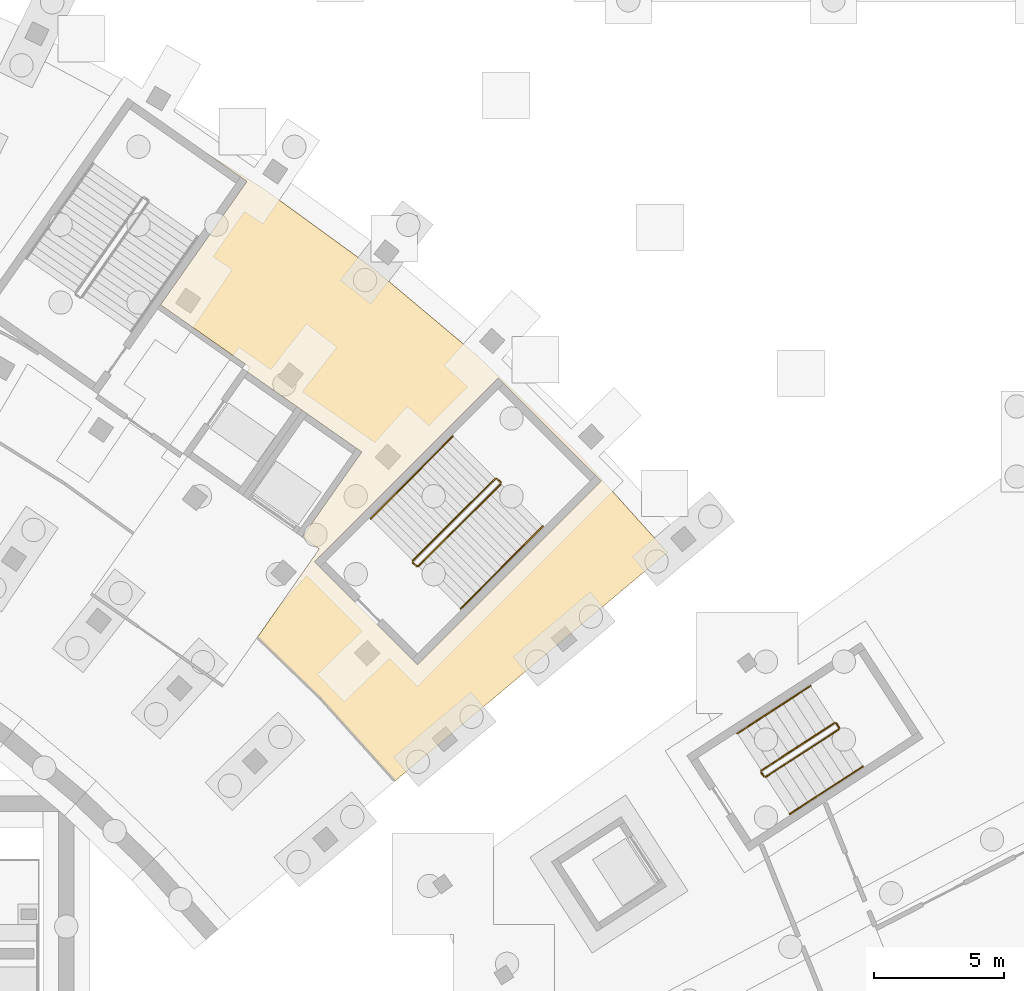
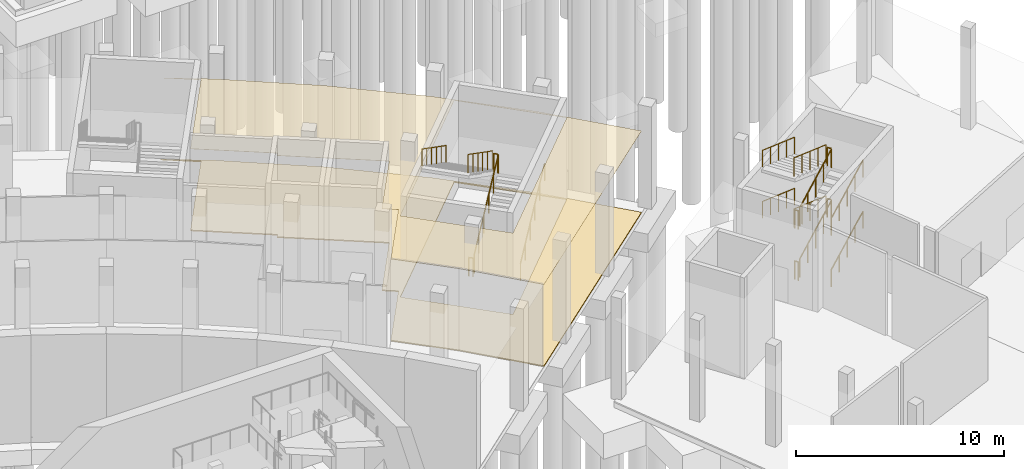
# One storey, part 58 of 66: 18 railings, 2 coverings.
"""IFC4 building model written with IfcOpenShell, lengths in metres."""

from ifc_helpers import new_model, si_unit, direction, frame, origin, origin_2d, place, context, subcontext, project, spatial, polyline, circle, outline, extrude, material, layer, layer_set, type_object, element, save


model = new_model("IFC4")

# Units and contexts
model_context = context("Model", 3, precision=1e-05, world=origin(), true_north=direction((0.0, 1.0)))
body_context = subcontext(model_context, "Body", "Model", "MODEL_VIEW")
ifc_project = project(units=[si_unit("LENGTHUNIT", "METRE"), si_unit("AREAUNIT", "SQUARE_METRE"), si_unit("VOLUMEUNIT", "CUBIC_METRE"), si_unit("PLANEANGLEUNIT", "RADIAN"), si_unit("MASSUNIT", "GRAM", prefix="KILO")], contexts=[model_context])

# Site, building, storey
site_placement = place(None, origin())
site = spatial("IfcSite", under=ifc_project, at=site_placement, CompositionType="ELEMENT")
building_placement = place(site_placement, origin())
building = spatial("IfcBuilding", under=site, at=building_placement, Name="Lunette Opera House", CompositionType="ELEMENT")
storey_placement = place(building_placement, frame((0.0, 0.0, -6.0)))
storey = spatial("IfcBuildingStorey", under=building, at=storey_placement, Name="B1", CompositionType="ELEMENT", Elevation=-6.0)

# Railings
ifc_material_1 = material(Name="Steel S355", Category="steel")
railing_type_1 = type_object("IfcRailingType", Name="STAIR GUARD 1100", PredefinedType="GUARDRAIL", material=ifc_material_1)
railing_1_placement = place(storey_placement, frame((157.38818359375, 39.686767578125, 0.166748046875)))
element("IfcRailing", 1, at=railing_1_placement, inside=storey, type_object=railing_type_1, Name="B1 ST21 stair guard 1", PredefinedType="GUARDRAIL", context=body_context, shape_type="SweptSolid", body=[
    extrude(circle(Radius=0.02392578125, at=origin_2d()), frame((0.0, 0.0, 1.076171875), z_axis=(0.779526313845, 0.506266613116, 0.368826303925), x_axis=(-0.544666507989, 0.838652726148, 0.0)), (0.0, 0.0, 1.0), 3.61474609375),
    extrude(circle(Radius=0.02099609375, at=origin_2d()), origin(), (0.0, 0.0, 1.0), 1.052001953125),
    extrude(circle(Radius=0.02099609375, at=origin_2d()), frame((0.70458984375, 0.45751953125, 0.333251953125)), (0.0, 0.0, 1.0), 1.052001953125),
    extrude(circle(Radius=0.02099609375, at=origin_2d()), frame((1.408935546875, 0.9150390625, 0.66650390625)), (0.0, 0.0, 1.0), 1.052001953125),
    extrude(circle(Radius=0.02099609375, at=origin_2d()), frame((2.11328125, 1.37255859375, 1.0)), (0.0, 0.0, 1.0), 1.052001953125),
    extrude(circle(Radius=0.02099609375, at=origin_2d()), frame((2.81787109375, 1.830078125, 1.333251953125)), (0.0, 0.0, 1.0), 1.052001953125),
])
railing_2_placement = place(storey_placement, frame((160.220703125, 41.5859375, 1.5)))
element("IfcRailing", 2, at=railing_2_placement, inside=storey, type_object=railing_type_1, Name="B1 ST21 stair guard 2", PredefinedType="GUARDRAIL", context=body_context, shape_type="SweptSolid", body=[
    extrude(circle(Radius=0.02392578125, at=origin_2d()), frame((0.0, 0.0, 1.076171875), z_axis=(-0.544260590101, 0.838916211587, 0.0), x_axis=(-0.838916211587, -0.544260590101, 0.0)), (0.0, 0.0, 1.0), 0.200439453125),
    extrude(circle(Radius=0.02099609375, at=origin_2d()), origin(), (0.0, 0.0, 1.0), 1.052001953125),
    extrude(circle(Radius=0.02099609375, at=origin_2d()), frame((-0.109130859375, 0.168212890625, 0.0)), (0.0, 0.0, 1.0), 1.052001953125),
])
railing_3_placement = place(storey_placement, frame((160.04248046875, 41.768798828125, 1.666748046875)))
element("IfcRailing", 3, at=railing_3_placement, inside=storey, type_object=railing_type_1, Name="B1 ST21 stair guard 3", PredefinedType="GUARDRAIL", context=body_context, shape_type="SweptSolid", body=[
    extrude(circle(Radius=0.02392578125, at=origin_2d()), frame((0.0, 0.0, 1.076171875), z_axis=(-0.779526313845, -0.506266613116, 0.368826303925), x_axis=(0.544666507989, -0.838652726148, 0.0)), (0.0, 0.0, 1.0), 3.61474609375),
    extrude(circle(Radius=0.02099609375, at=origin_2d()), origin(), (0.0, 0.0, 1.0), 1.052001953125),
    extrude(circle(Radius=0.02099609375, at=origin_2d()), frame((-0.70458984375, -0.45751953125, 0.333251953125)), (0.0, 0.0, 1.0), 1.052001953125),
    extrude(circle(Radius=0.02099609375, at=origin_2d()), frame((-1.408935546875, -0.9150390625, 0.66650390625)), (0.0, 0.0, 1.0), 1.052001953125),
    extrude(circle(Radius=0.02099609375, at=origin_2d()), frame((-2.11328125, -1.37255859375, 1.0)), (0.0, 0.0, 1.0), 1.052001953125),
    extrude(circle(Radius=0.02099609375, at=origin_2d()), frame((-2.81787109375, -1.830078125, 1.333251953125)), (0.0, 0.0, 1.0), 1.052001953125),
])
railing_4_placement = place(storey_placement, frame((157.319091796875, 39.701416015625, 3.0)))
element("IfcRailing", 4, at=railing_4_placement, inside=storey, type_object=railing_type_1, Name="B1 ST21 stair guard 4", PredefinedType="GUARDRAIL", context=body_context, shape_type="SweptSolid", body=[
    extrude(circle(Radius=0.02392578125, at=origin_2d()), frame((0.0, 0.0, 1.076171875), z_axis=(-0.544816974725, 0.838554985706, 0.0), x_axis=(-0.838554985706, -0.544816974725, 0.0)), (0.0, 0.0, 1.0), 0.2001953125),
    extrude(circle(Radius=0.02099609375, at=origin_2d()), origin(), (0.0, 0.0, 1.0), 1.052001953125),
    extrude(circle(Radius=0.02099609375, at=origin_2d()), frame((-0.109130859375, 0.16796875, 0.0)), (0.0, 0.0, 1.0), 1.052001953125),
])
railing_5_placement = place(storey_placement, frame((157.38818359375, 39.686767578125, 3.166748046875)))
element("IfcRailing", 5, at=railing_5_placement, inside=storey, type_object=railing_type_1, Name="B1 ST21 stair guard 5", PredefinedType="GUARDRAIL", context=body_context, shape_type="SweptSolid", body=[
    extrude(circle(Radius=0.02392578125, at=origin_2d()), frame((0.0, 0.0, 1.076171875), z_axis=(0.779526313845, 0.506266613116, 0.368826303925), x_axis=(-0.544666507989, 0.838652726148, 0.0)), (0.0, 0.0, 1.0), 3.61474609375),
    extrude(circle(Radius=0.02099609375, at=origin_2d()), origin(), (0.0, 0.0, 1.0), 1.052001953125),
    extrude(circle(Radius=0.02099609375, at=origin_2d()), frame((0.70458984375, 0.45751953125, 0.333251953125)), (0.0, 0.0, 1.0), 1.052001953125),
    extrude(circle(Radius=0.02099609375, at=origin_2d()), frame((1.408935546875, 0.9150390625, 0.66650390625)), (0.0, 0.0, 1.0), 1.052001953125),
    extrude(circle(Radius=0.02099609375, at=origin_2d()), frame((2.11328125, 1.37255859375, 1.0)), (0.0, 0.0, 1.0), 1.052001953125),
    extrude(circle(Radius=0.02099609375, at=origin_2d()), frame((2.81787109375, 1.830078125, 1.333251953125)), (0.0, 0.0, 1.0), 1.052001953125),
])
railing_6_placement = place(storey_placement, frame((160.220703125, 41.5859375, 4.5)))
element("IfcRailing", 6, at=railing_6_placement, inside=storey, type_object=railing_type_1, Name="B1 ST21 stair guard 6", PredefinedType="GUARDRAIL", context=body_context, shape_type="SweptSolid", body=[
    extrude(circle(Radius=0.02392578125, at=origin_2d()), frame((0.0, 0.0, 1.076171875), z_axis=(-0.544260590101, 0.838916211587, 0.0), x_axis=(-0.838916211587, -0.544260590101, 0.0)), (0.0, 0.0, 1.0), 0.200439453125),
    extrude(circle(Radius=0.02099609375, at=origin_2d()), origin(), (0.0, 0.0, 1.0), 1.052001953125),
    extrude(circle(Radius=0.02099609375, at=origin_2d()), frame((-0.109130859375, 0.168212890625, 0.0)), (0.0, 0.0, 1.0), 1.052001953125),
])
railing_7_placement = place(storey_placement, frame((160.04248046875, 41.768798828125, 4.666748046875)))
element("IfcRailing", 7, at=railing_7_placement, inside=storey, type_object=railing_type_1, Name="B1 ST21 stair guard 7", PredefinedType="GUARDRAIL", context=body_context, shape_type="SweptSolid", body=[
    extrude(circle(Radius=0.02392578125, at=origin_2d()), frame((0.0, 0.0, 1.076171875), z_axis=(-0.779526313845, -0.506266613116, 0.368826303925), x_axis=(0.544666507989, -0.838652726148, 0.0)), (0.0, 0.0, 1.0), 3.61474609375),
    extrude(circle(Radius=0.02099609375, at=origin_2d()), origin(), (0.0, 0.0, 1.0), 1.052001953125),
    extrude(circle(Radius=0.02099609375, at=origin_2d()), frame((-0.70458984375, -0.45751953125, 0.333251953125)), (0.0, 0.0, 1.0), 1.052001953125),
    extrude(circle(Radius=0.02099609375, at=origin_2d()), frame((-1.408935546875, -0.9150390625, 0.66650390625)), (0.0, 0.0, 1.0), 1.052001953125),
    extrude(circle(Radius=0.02099609375, at=origin_2d()), frame((-2.11328125, -1.37255859375, 1.0)), (0.0, 0.0, 1.0), 1.052001953125),
    extrude(circle(Radius=0.02099609375, at=origin_2d()), frame((-2.81787109375, -1.830078125, 1.333251953125)), (0.0, 0.0, 1.0), 1.052001953125),
])
railing_8_placement = place(storey_placement, frame((157.319091796875, 39.701416015625, 0.0)))
element("IfcRailing", 8, at=railing_8_placement, inside=storey, type_object=railing_type_1, Name="B1 ST21 stair guard 8", PredefinedType="GUARDRAIL", context=body_context, shape_type="SweptSolid", body=[
    extrude(circle(Radius=0.02392578125, at=origin_2d()), frame((0.0, 0.0, 1.076171875), z_axis=(-0.544816974725, 0.838554985706, 0.0), x_axis=(-0.838554985706, -0.544816974725, 0.0)), (0.0, 0.0, 1.0), 0.2001953125),
    extrude(circle(Radius=0.02099609375, at=origin_2d()), origin(), (0.0, 0.0, 1.0), 1.052001953125),
    extrude(circle(Radius=0.02099609375, at=origin_2d()), frame((-0.109130859375, 0.16796875, 0.0)), (0.0, 0.0, 1.0), 1.052001953125),
])
railing_9_placement = place(storey_placement, frame((144.012451171875, 47.800048828125, 0.176513671875)))
element("IfcRailing", 9, at=railing_9_placement, inside=storey, type_object=railing_type_1, Name="B1 ST4 stair guard 1", PredefinedType="GUARDRAIL", context=body_context, shape_type="SweptSolid", body=[
    extrude(circle(Radius=0.02392578125, at=origin_2d()), frame((0.0, 0.0, 1.076171875), z_axis=(0.598205512604, 0.598205512604, 0.533198208344), x_axis=(-0.707106781187, 0.707106781187, 0.0)), (0.0, 0.0, 1.0), 5.29541015625),
    extrude(circle(Radius=0.02099609375, at=origin_2d()), origin(), (0.0, 0.0, 1.0), 1.052001953125),
    extrude(circle(Radius=0.02099609375, at=origin_2d()), frame((0.633544921875, 0.633544921875, 0.564697265625)), (0.0, 0.0, 1.0), 1.052001953125),
    extrude(circle(Radius=0.02099609375, at=origin_2d()), frame((1.26708984375, 1.26708984375, 1.12939453125)), (0.0, 0.0, 1.0), 1.052001953125),
    extrude(circle(Radius=0.02099609375, at=origin_2d()), frame((1.900634765625, 1.900634765625, 1.694091796875)), (0.0, 0.0, 1.0), 1.052001953125),
    extrude(circle(Radius=0.02099609375, at=origin_2d()), frame((2.5341796875, 2.5341796875, 2.2587890625)), (0.0, 0.0, 1.0), 1.052001953125),
    extrude(circle(Radius=0.02099609375, at=origin_2d()), frame((3.167724609375, 3.167724609375, 2.823486328125)), (0.0, 0.0, 1.0), 1.052001953125),
])
railing_10_placement = place(storey_placement, frame((147.18017578125, 51.03857421875, 3.0)))
element("IfcRailing", 10, at=railing_10_placement, inside=storey, type_object=railing_type_1, Name="B1 ST4 stair guard 2", PredefinedType="GUARDRAIL", context=body_context, shape_type="SweptSolid", body=[
    extrude(circle(Radius=0.02392578125, at=origin_2d()), frame((0.0, 0.0, 1.076171875), z_axis=(-0.707106781187, 0.707106781187, 0.0), x_axis=(-0.707106781187, -0.707106781187, 0.0)), (0.0, 0.0, 1.0), 0.2001953125),
    extrude(circle(Radius=0.02099609375, at=origin_2d()), origin(), (0.0, 0.0, 1.0), 1.052001953125),
    extrude(circle(Radius=0.02099609375, at=origin_2d()), frame((-0.1416015625, 0.1416015625, 0.0)), (0.0, 0.0, 1.0), 1.052001953125),
])
railing_11_placement = place(storey_placement, frame((146.9677734375, 51.18017578125, 3.176513671875)))
element("IfcRailing", 11, at=railing_11_placement, inside=storey, type_object=railing_type_1, Name="B1 ST4 stair guard 3", PredefinedType="GUARDRAIL", context=body_context, shape_type="SweptSolid", body=[
    extrude(circle(Radius=0.02392578125, at=origin_2d()), frame((0.0, 0.0, 1.076171875), z_axis=(-0.598205512604, -0.598205512604, 0.533198208344), x_axis=(0.707106781187, -0.707106781187, 0.0)), (0.0, 0.0, 1.0), 5.29541015625),
    extrude(circle(Radius=0.02099609375, at=origin_2d()), origin(), (0.0, 0.0, 1.0), 1.052001953125),
    extrude(circle(Radius=0.02099609375, at=origin_2d()), frame((-0.633544921875, -0.633544921875, 0.564697265625)), (0.0, 0.0, 1.0), 1.052001953125),
    extrude(circle(Radius=0.02099609375, at=origin_2d()), frame((-1.26708984375, -1.26708984375, 1.12939453125)), (0.0, 0.0, 1.0), 1.052001953125),
    extrude(circle(Radius=0.02099609375, at=origin_2d()), frame((-1.900634765625, -1.900634765625, 1.694091796875)), (0.0, 0.0, 1.0), 1.052001953125),
    extrude(circle(Radius=0.02099609375, at=origin_2d()), frame((-2.5341796875, -2.5341796875, 2.2587890625)), (0.0, 0.0, 1.0), 1.052001953125),
    extrude(circle(Radius=0.02099609375, at=origin_2d()), frame((-3.167724609375, -3.167724609375, 2.823486328125)), (0.0, 0.0, 1.0), 1.052001953125),
])
railing_12_placement = place(storey_placement, frame((143.941650390625, 47.800048828125, 0.0)))
element("IfcRailing", 12, at=railing_12_placement, inside=storey, type_object=railing_type_1, Name="B1 ST4 stair guard 4", PredefinedType="GUARDRAIL", context=body_context, shape_type="SweptSolid", body=[
    extrude(circle(Radius=0.02392578125, at=origin_2d()), frame((0.0, 0.0, 1.076171875), z_axis=(-0.707106781187, 0.707106781187, 0.0), x_axis=(-0.707106781187, -0.707106781187, 0.0)), (0.0, 0.0, 1.0), 0.2001953125),
    extrude(circle(Radius=0.02099609375, at=origin_2d()), origin(), (0.0, 0.0, 1.0), 1.052001953125),
    extrude(circle(Radius=0.02099609375, at=origin_2d()), frame((-0.1416015625, 0.1416015625, 0.0)), (0.0, 0.0, 1.0), 1.052001953125),
])
ifc_material_2 = material(Name="Steel S355", Category="steel")
railing_type_2 = type_object("IfcRailingType", Name="STAIR HANDRAIL 1000", PredefinedType="HANDRAIL", material=ifc_material_2)
railing_13_placement = place(storey_placement, frame((158.314208984375, 38.260986328125, 0.166748046875)))
element("IfcRailing", 13, at=railing_13_placement, inside=storey, type_object=railing_type_2, Name="B1 ST21 stair handrail 1", PredefinedType="HANDRAIL", context=body_context, shape_type="SweptSolid", body=[
    extrude(circle(Radius=0.02392578125, at=origin_2d()), frame((0.0, 0.0, 0.97607421875), z_axis=(0.779526313845, 0.506266613116, 0.368826303925), x_axis=(-0.544666507989, 0.838652726148, 0.0)), (0.0, 0.0, 1.0), 3.61474609375),
    extrude(circle(Radius=0.02099609375, at=origin_2d()), origin(), (0.0, 0.0, 1.0), 0.951904296875),
    extrude(circle(Radius=0.02099609375, at=origin_2d()), frame((0.70458984375, 0.45751953125, 0.333251953125)), (0.0, 0.0, 1.0), 0.951904296875),
    extrude(circle(Radius=0.02099609375, at=origin_2d()), frame((1.408935546875, 0.9150390625, 0.66650390625)), (0.0, 0.0, 1.0), 0.951904296875),
    extrude(circle(Radius=0.02099609375, at=origin_2d()), frame((2.11328125, 1.37255859375, 1.0)), (0.0, 0.0, 1.0), 0.951904296875),
    extrude(circle(Radius=0.02099609375, at=origin_2d()), frame((2.81787109375, 1.830078125, 1.333251953125)), (0.0, 0.0, 1.0), 0.951904296875),
])
railing_14_placement = place(storey_placement, frame((159.116455078125, 43.194580078125, 1.666748046875)))
element("IfcRailing", 14, at=railing_14_placement, inside=storey, type_object=railing_type_2, Name="B1 ST21 stair handrail 2", PredefinedType="HANDRAIL", context=body_context, shape_type="SweptSolid", body=[
    extrude(circle(Radius=0.02392578125, at=origin_2d()), frame((0.0, 0.0, 0.97607421875), z_axis=(-0.779499659595, -0.506316838328, 0.368813692692), x_axis=(0.544717610193, -0.838619535394, 0.0)), (0.0, 0.0, 1.0), 3.614990234375),
    extrude(circle(Radius=0.02099609375, at=origin_2d()), origin(), (0.0, 0.0, 1.0), 0.951904296875),
    extrude(circle(Radius=0.02099609375, at=origin_2d()), frame((-0.70458984375, -0.45751953125, 0.333251953125)), (0.0, 0.0, 1.0), 0.951904296875),
    extrude(circle(Radius=0.02099609375, at=origin_2d()), frame((-1.408935546875, -0.9150390625, 0.66650390625)), (0.0, 0.0, 1.0), 0.951904296875),
    extrude(circle(Radius=0.02099609375, at=origin_2d()), frame((-2.11328125, -1.372802734375, 1.0)), (0.0, 0.0, 1.0), 0.951904296875),
    extrude(circle(Radius=0.02099609375, at=origin_2d()), frame((-2.81787109375, -1.830322265625, 1.333251953125)), (0.0, 0.0, 1.0), 0.951904296875),
])
railing_15_placement = place(storey_placement, frame((158.314208984375, 38.260986328125, 3.166748046875)))
element("IfcRailing", 15, at=railing_15_placement, inside=storey, type_object=railing_type_2, Name="B1 ST21 stair handrail 3", PredefinedType="HANDRAIL", context=body_context, shape_type="SweptSolid", body=[
    extrude(circle(Radius=0.02392578125, at=origin_2d()), frame((0.0, 0.0, 0.97607421875), z_axis=(0.779526313845, 0.506266613116, 0.368826303925), x_axis=(-0.544666507989, 0.838652726148, 0.0)), (0.0, 0.0, 1.0), 3.61474609375),
    extrude(circle(Radius=0.02099609375, at=origin_2d()), origin(), (0.0, 0.0, 1.0), 0.951904296875),
    extrude(circle(Radius=0.02099609375, at=origin_2d()), frame((0.70458984375, 0.45751953125, 0.333251953125)), (0.0, 0.0, 1.0), 0.951904296875),
    extrude(circle(Radius=0.02099609375, at=origin_2d()), frame((1.408935546875, 0.9150390625, 0.66650390625)), (0.0, 0.0, 1.0), 0.951904296875),
    extrude(circle(Radius=0.02099609375, at=origin_2d()), frame((2.11328125, 1.37255859375, 1.0)), (0.0, 0.0, 1.0), 0.951904296875),
    extrude(circle(Radius=0.02099609375, at=origin_2d()), frame((2.81787109375, 1.830078125, 1.333251953125)), (0.0, 0.0, 1.0), 0.951904296875),
])
railing_16_placement = place(storey_placement, frame((159.116455078125, 43.194580078125, 4.666748046875)))
element("IfcRailing", 16, at=railing_16_placement, inside=storey, type_object=railing_type_2, Name="B1 ST21 stair handrail 4", PredefinedType="HANDRAIL", context=body_context, shape_type="SweptSolid", body=[
    extrude(circle(Radius=0.02392578125, at=origin_2d()), frame((0.0, 0.0, 0.97607421875), z_axis=(-0.779499659595, -0.506316838328, 0.368813692692), x_axis=(0.544717610193, -0.838619535394, 0.0)), (0.0, 0.0, 1.0), 3.614990234375),
    extrude(circle(Radius=0.02099609375, at=origin_2d()), origin(), (0.0, 0.0, 1.0), 0.951904296875),
    extrude(circle(Radius=0.02099609375, at=origin_2d()), frame((-0.70458984375, -0.45751953125, 0.333251953125)), (0.0, 0.0, 1.0), 0.951904296875),
    extrude(circle(Radius=0.02099609375, at=origin_2d()), frame((-1.408935546875, -0.9150390625, 0.66650390625)), (0.0, 0.0, 1.0), 0.951904296875),
    extrude(circle(Radius=0.02099609375, at=origin_2d()), frame((-2.11328125, -1.372802734375, 1.0)), (0.0, 0.0, 1.0), 0.951904296875),
    extrude(circle(Radius=0.02099609375, at=origin_2d()), frame((-2.81787109375, -1.830322265625, 1.333251953125)), (0.0, 0.0, 1.0), 0.951904296875),
])
railing_17_placement = place(storey_placement, frame((145.638671875, 46.173583984375, 0.176513671875)))
element("IfcRailing", 17, at=railing_17_placement, inside=storey, type_object=railing_type_2, Name="B1 ST4 stair handrail 1", PredefinedType="HANDRAIL", context=body_context, shape_type="SweptSolid", body=[
    extrude(circle(Radius=0.02392578125, at=origin_2d()), frame((0.0, 0.0, 0.97607421875), z_axis=(0.598218619036, 0.598218619036, 0.533168798485), x_axis=(-0.707106781187, 0.707106781187, 0.0)), (0.0, 0.0, 1.0), 5.295654296875),
    extrude(circle(Radius=0.02099609375, at=origin_2d()), origin(), (0.0, 0.0, 1.0), 0.951904296875),
    extrude(circle(Radius=0.02099609375, at=origin_2d()), frame((0.633544921875, 0.633544921875, 0.564697265625)), (0.0, 0.0, 1.0), 0.951904296875),
    extrude(circle(Radius=0.02099609375, at=origin_2d()), frame((1.26708984375, 1.26708984375, 1.12939453125)), (0.0, 0.0, 1.0), 0.951904296875),
    extrude(circle(Radius=0.02099609375, at=origin_2d()), frame((1.90087890625, 1.90087890625, 1.694091796875)), (0.0, 0.0, 1.0), 0.951904296875),
    extrude(circle(Radius=0.02099609375, at=origin_2d()), frame((2.534423828125, 2.534423828125, 2.2587890625)), (0.0, 0.0, 1.0), 0.951904296875),
    extrude(circle(Radius=0.02099609375, at=origin_2d()), frame((3.16796875, 3.16796875, 2.823486328125)), (0.0, 0.0, 1.0), 0.951904296875),
])
railing_18_placement = place(storey_placement, frame((145.341552734375, 52.806640625, 3.176513671875)))
element("IfcRailing", 18, at=railing_18_placement, inside=storey, type_object=railing_type_2, Name="B1 ST4 stair handrail 2", PredefinedType="HANDRAIL", context=body_context, shape_type="SweptSolid", body=[
    extrude(circle(Radius=0.02392578125, at=origin_2d()), frame((0.0, 0.0, 0.97607421875), z_axis=(-0.598218619036, -0.598218619036, 0.533168798485), x_axis=(0.707106781187, -0.707106781187, 0.0)), (0.0, 0.0, 1.0), 5.295654296875),
    extrude(circle(Radius=0.02099609375, at=origin_2d()), origin(), (0.0, 0.0, 1.0), 0.951904296875),
    extrude(circle(Radius=0.02099609375, at=origin_2d()), frame((-0.633544921875, -0.633544921875, 0.564697265625)), (0.0, 0.0, 1.0), 0.951904296875),
    extrude(circle(Radius=0.02099609375, at=origin_2d()), frame((-1.26708984375, -1.26708984375, 1.12939453125)), (0.0, 0.0, 1.0), 0.951904296875),
    extrude(circle(Radius=0.02099609375, at=origin_2d()), frame((-1.90087890625, -1.90087890625, 1.694091796875)), (0.0, 0.0, 1.0), 0.951904296875),
    extrude(circle(Radius=0.02099609375, at=origin_2d()), frame((-2.534423828125, -2.534423828125, 2.2587890625)), (0.0, 0.0, 1.0), 0.951904296875),
    extrude(circle(Radius=0.02099609375, at=origin_2d()), frame((-3.16796875, -3.16796875, 2.823486328125)), (0.0, 0.0, 1.0), 0.951904296875),
])

# Coverings
ifc_material_3 = material(Name="Mineral fibre board")
ifc_layer_1 = layer(ifc_material_3, 0.014892578125)
ifc_layer_set_1 = layer_set([ifc_layer_1], Name="Mineral fibre board")
covering_type_1 = type_object("IfcCoveringType", Name="SUSPENDED ACOUSTIC CEILING 15", PredefinedType="CEILING", material=ifc_layer_set_1)
covering_1_placement = place(storey_placement, frame((0.0, 0.0, 4.81494140625)))
element("IfcCovering", 19, at=covering_1_placement, inside=storey, type_object=covering_type_1, Name="Ceiling Lower Foyer Rear", PredefinedType="CEILING", context=body_context, shape_type="SweptSolid", body=[
    extrude(outline(polyline([(141.8310546875, 52.202880859375), (139.537109375, 53.80908203125), (137.407958984375, 55.300048828125), (137.52294921875, 55.464111328125), (134.08203125, 57.8740234375), (137.408935546875, 62.625), (135.81396484375, 63.741943359375), (138.051025390625, 62.343994140625), (142.298095703125, 59.258056640625), (146.319091796875, 55.884033203125), (150.093994140625, 52.238037109375), (153.60595703125, 48.337890625), (145.027099609375, 41.137939453125), (143.112060546875, 39.531005859375), (140.239013671875, 42.720947265625), (137.81103515625, 45.06689453125), (140.19189453125, 48.468017578125), (139.537109375, 48.927001953125), (141.8310546875, 52.202880859375)]), holes=[polyline([(140.01708984375, 47.97705078125), (143.97705078125, 44.01708984375), (151.048095703125, 51.087890625), (147.087890625, 55.048095703125), (140.01708984375, 47.97705078125)])]), origin(), (0.0, 0.0, 1.0), 0.01513671875),
])
ifc_material_4 = material(Name="Terrazzo")
ifc_layer_2 = layer(ifc_material_4, 0.06005859375)
ifc_layer_set_2 = layer_set([ifc_layer_2], Name="Terrazzo")
covering_type_2 = type_object("IfcCoveringType", Name="TERRAZZO FLOOR FINISH 60", PredefinedType="FLOORING", material=ifc_layer_set_2)
covering_2_placement = place(storey_placement, origin())
element("IfcCovering", 20, at=covering_2_placement, inside=storey, type_object=covering_type_2, Name="Floor finish Lower Foyer Rear", PredefinedType="FLOORING", context=body_context, shape_type="SweptSolid", body=[
    extrude(outline(polyline([(141.8310546875, 52.202880859375), (139.537109375, 53.80908203125), (137.407958984375, 55.300048828125), (137.52294921875, 55.464111328125), (134.08203125, 57.8740234375), (137.408935546875, 62.625), (135.81396484375, 63.741943359375), (138.051025390625, 62.343994140625), (142.298095703125, 59.258056640625), (146.319091796875, 55.884033203125), (150.093994140625, 52.238037109375), (153.60595703125, 48.337890625), (145.027099609375, 41.137939453125), (143.112060546875, 39.531005859375), (140.239013671875, 42.720947265625), (137.81103515625, 45.06689453125), (140.19189453125, 48.468017578125), (139.537109375, 48.927001953125), (141.8310546875, 52.202880859375)]), holes=[polyline([(140.01708984375, 47.97705078125), (143.97705078125, 44.01708984375), (151.048095703125, 51.087890625), (147.087890625, 55.048095703125), (140.01708984375, 47.97705078125)])]), origin(), (0.0, 0.0, 1.0), 0.06005859375),
])

save(model, "model.ifc")
